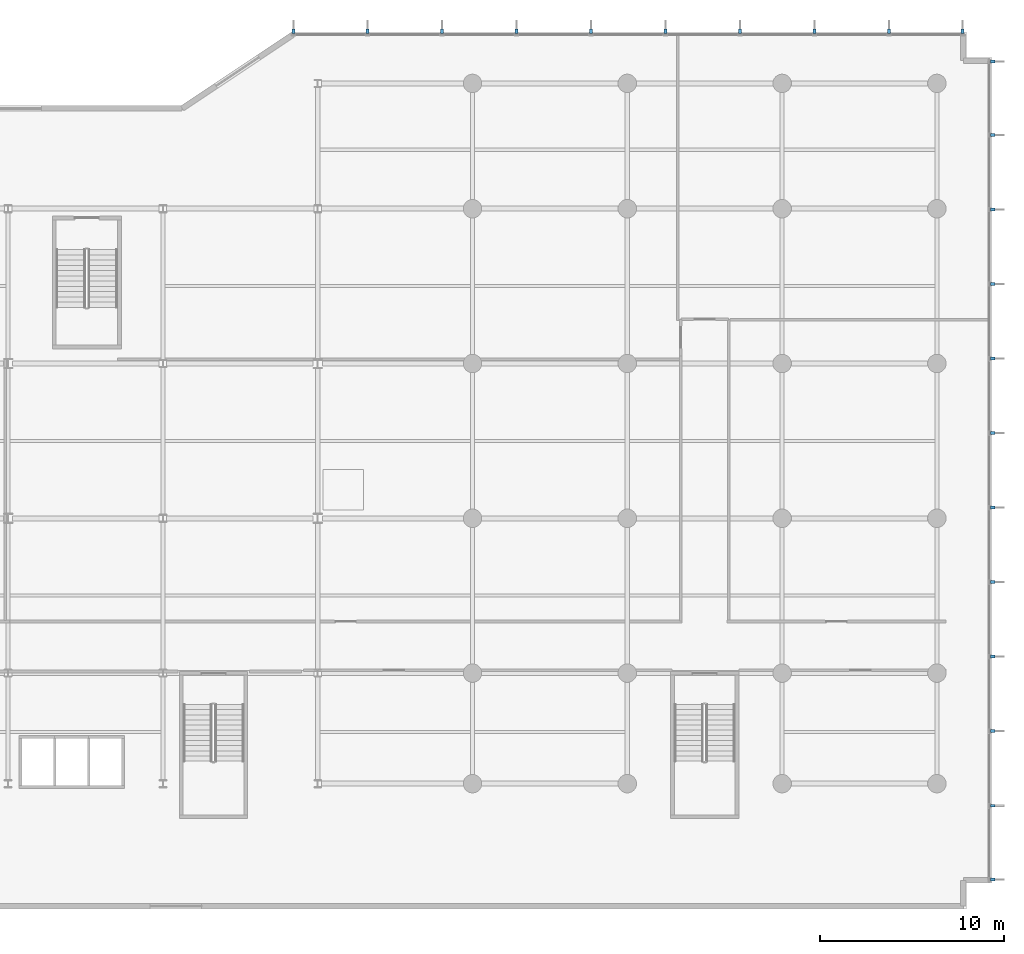
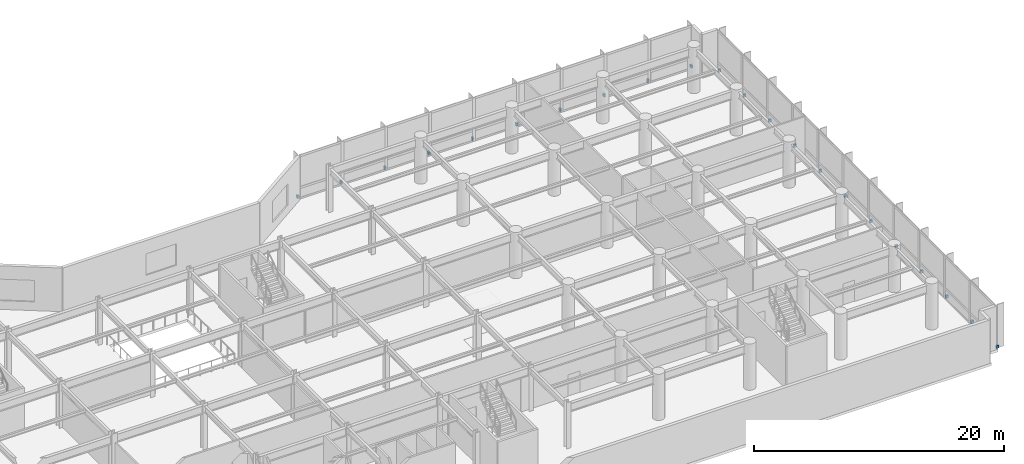
# One storey, part 19 of 26: 22 discrete accessories.
"""IFC4 building model written with IfcOpenShell, lengths in metres."""

from ifc_helpers import new_model, si_unit, direction, frame, origin, origin_2d, place, context, subcontext, project, spatial, rectangle, extrude, material, type_object, element, save


model = new_model("IFC4")

# Units and contexts
model_context = context("Model", 3, precision=1e-05, world=origin(), true_north=direction((0.0, 1.0)))
body_context = subcontext(model_context, "Body", "Model", "MODEL_VIEW")
ifc_project = project(units=[si_unit("LENGTHUNIT", "METRE"), si_unit("AREAUNIT", "SQUARE_METRE"), si_unit("VOLUMEUNIT", "CUBIC_METRE"), si_unit("PLANEANGLEUNIT", "RADIAN"), si_unit("MASSUNIT", "GRAM", prefix="KILO")], contexts=[model_context])

# Site, building, storey
site_placement = place(None, origin())
site = spatial("IfcSite", under=ifc_project, at=site_placement, CompositionType="ELEMENT")
building_placement = place(site_placement, origin())
building = spatial("IfcBuilding", under=site, at=building_placement, Name="Varnakote Quay Hospital", CompositionType="ELEMENT")
storey_placement = place(building_placement, frame((0.0, 0.0, 4.5)))
storey = spatial("IfcBuildingStorey", under=building, at=storey_placement, Name="L01", CompositionType="ELEMENT", Elevation=4.5)

# Discrete accessories
ifc_material = material(Name="Anodised aluminium 6063-T6 Bronze", Category="aluminium")
discrete_accessory_type = type_object("IfcDiscreteAccessoryType", Name="ACC-FIN-BRACKET-180", PredefinedType="BRACKET", material=ifc_material)
for number, where, z_axis, x_axis, name in (
    (1, (87.030029296875, 0.802490234375, 0.0), (0.0, 0.0, 1.0), (0.0, 1.0, 0.0), "L01 Curtain Wall Fin Fixing Bracket"),
    (2, (87.030029296875, 4.8037109375, 0.0), (0.0, 0.0, 1.0), (0.0, 1.0, 0.0), "L01 Curtain Wall Fin Fixing Bracket"),
    (3, (87.030029296875, 8.847412109375, 0.0), (0.0, 0.0, 1.0), (0.0, 1.0, 0.0), "L01 Curtain Wall Fin Fixing Bracket"),
    (4, (87.030029296875, 12.890869140625, 0.0), (0.0, 0.0, 1.0), (0.0, 1.0, 0.0), "L01 Curtain Wall Fin Fixing Bracket"),
    (5, (87.030029296875, 16.9345703125, 0.0), (0.0, 0.0, 1.0), (0.0, 1.0, 0.0), "L01 Curtain Wall Fin Fixing Bracket"),
    (6, (87.030029296875, 20.978271484375, 0.0), (0.0, 0.0, 1.0), (0.0, 1.0, 0.0), "L01 Curtain Wall Fin Fixing Bracket"),
    (7, (87.030029296875, 25.021728515625, 0.0), (0.0, 0.0, 1.0), (0.0, 1.0, 0.0), "L01 Curtain Wall Fin Fixing Bracket"),
    (8, (87.030029296875, 29.0654296875, 0.0), (0.0, 0.0, 1.0), (0.0, 1.0, 0.0), "L01 Curtain Wall Fin Fixing Bracket"),
    (9, (87.030029296875, 33.109130859375, 0.0), (0.0, 0.0, 1.0), (0.0, 1.0, 0.0), "L01 Curtain Wall Fin Fixing Bracket"),
    (10, (87.030029296875, 37.152587890625, 0.0), (0.0, 0.0, 1.0), (0.0, 1.0, 0.0), "L01 Curtain Wall Fin Fixing Bracket"),
    (11, (87.030029296875, 41.1962890625, 0.0), (0.0, 0.0, 1.0), (0.0, 1.0, 0.0), "L01 Curtain Wall Fin Fixing Bracket"),
    (12, (87.030029296875, 45.197509765625, 0.0), (0.0, 0.0, 1.0), (0.0, 1.0, 0.0), "L01 Curtain Wall Fin Fixing Bracket"),
    (13, (85.3974609375, 46.830078125, 0.0), (0.0, 0.0, 1.0), (-1.0, 0.0, 0.0), "L01 Curtain Wall Fin Fixing Bracket"),
    (14, (81.396484375, 46.830078125, 0.0), (0.0, 0.0, 1.0), (-1.0, 0.0, 0.0), "L01 Curtain Wall Fin Fixing Bracket"),
    (15, (77.35302734375, 46.830078125, 0.0), (0.0, 0.0, 1.0), (-1.0, 0.0, 0.0), "L01 Curtain Wall Fin Fixing Bracket"),
    (16, (73.3095703125, 46.830078125, 0.0), (0.0, 0.0, 1.0), (-1.0, 0.0, 0.0), "L01 Curtain Wall Fin Fixing Bracket"),
    (17, (69.26611328125, 46.830078125, 0.0), (0.0, 0.0, 1.0), (-1.0, 0.0, 0.0), "L01 Curtain Wall Fin Fixing Bracket"),
    (18, (65.222412109375, 46.830078125, 0.0), (0.0, 0.0, 1.0), (-1.0, 0.0, 0.0), "L01 Curtain Wall Fin Fixing Bracket"),
    (19, (61.178955078125, 46.830078125, 0.0), (0.0, 0.0, 1.0), (-1.0, 0.0, 0.0), "L01 Curtain Wall Fin Fixing Bracket"),
    (20, (57.135498046875, 46.830078125, 0.0), (0.0, 0.0, 1.0), (-1.0, 0.0, 0.0), "L01 Curtain Wall Fin Fixing Bracket"),
    (21, (53.091796875, 46.830078125, 0.0), (0.0, 0.0, 1.0), (-1.0, 0.0, 0.0), "L01 Curtain Wall Fin Fixing Bracket"),
    (22, (49.0908203125, 46.830078125, 0.0), (0.0, 0.0, 1.0), (-1.0, 0.0, 0.0), "L01 Curtain Wall Fin Fixing Bracket"),
):
    element("IfcDiscreteAccessory", number, at=place(storey_placement, frame(where, z_axis=z_axis, x_axis=x_axis)), inside=storey, type_object=discrete_accessory_type, Name=name, PredefinedType="BRACKET", context=body_context, shape_type="SweptSolid", body=[
        extrude(rectangle(XDim=0.159912109375, YDim=0.239990234375, at=origin_2d()), origin(), (0.0, 0.0, 1.0), 0.280029296875),
    ])

save(model, "model.ifc")
